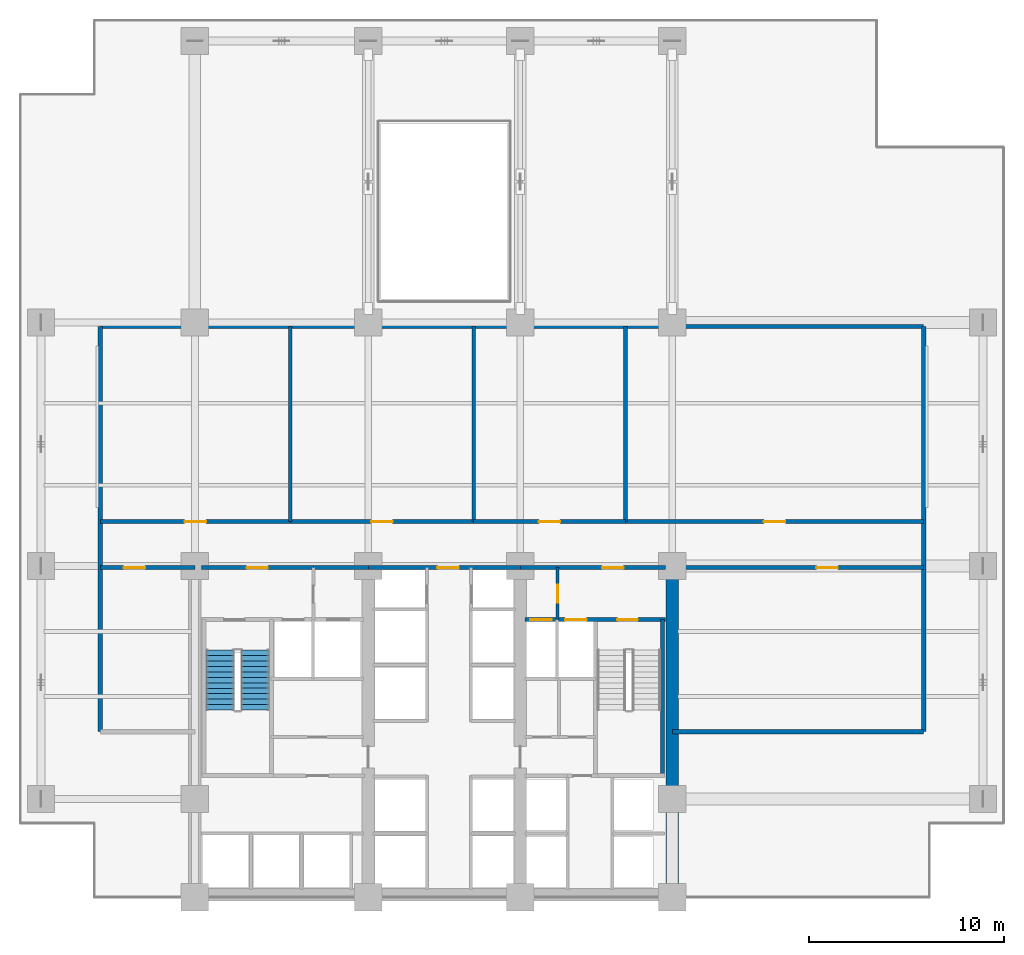
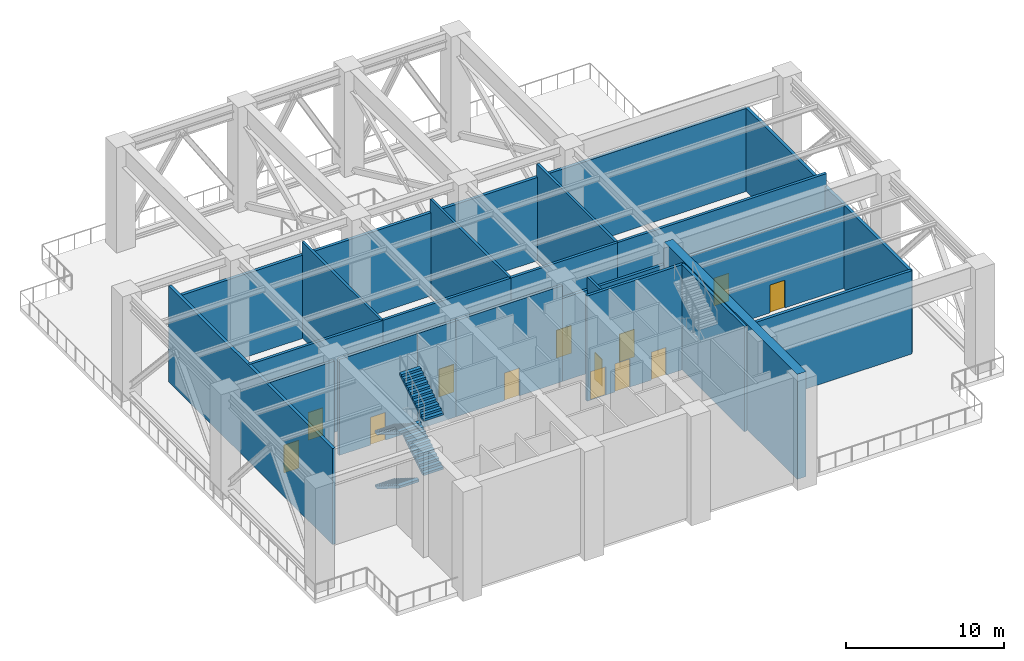
# One storey, part 4 of 7: 21 walls, 13 doors, 4 stair flights, 13 openings, 1 element without a shape of its own.
"""IFC4 building model written with IfcOpenShell, lengths in metres."""

from ifc_helpers import new_model, si_unit, direction, frame, frame_2d, origin, place, context, subcontext, project, spatial, polyline, rectangle, outline, extrude, material, layer, layer_set, type_object, element, fill, aggregate, save


model = new_model("IFC4")

# Units and contexts
model_context = context("Model", 3, precision=1e-05, world=origin(), true_north=direction((0.0, 1.0)))
body_context = subcontext(model_context, "Body", "Model", "MODEL_VIEW")
ifc_project = project(units=[si_unit("LENGTHUNIT", "METRE"), si_unit("AREAUNIT", "SQUARE_METRE"), si_unit("VOLUMEUNIT", "CUBIC_METRE"), si_unit("PLANEANGLEUNIT", "RADIAN"), si_unit("MASSUNIT", "GRAM", prefix="KILO")], contexts=[model_context])

# Site, building, storey
site_placement = place(None, origin())
site = spatial("IfcSite", under=ifc_project, at=site_placement, CompositionType="ELEMENT")
building_placement = place(site_placement, origin())
building = spatial("IfcBuilding", under=site, at=building_placement, Name="Qalmaran Belvedere Hotel", CompositionType="ELEMENT")
storey_placement = place(building_placement, frame((0.0, 0.0, 75.39990234375)))
storey = spatial("IfcBuildingStorey", under=building, at=storey_placement, Name="L19", CompositionType="ELEMENT", Elevation=75.39990234375)

# Wall
ifc_material_1 = material(Name="Concrete C60/75", Category="concrete")
ifc_layer_1 = layer(ifc_material_1, 0.64990234375, Name="Concrete C60/75")
ifc_layer_set_1 = layer_set([ifc_layer_1], Name="Concrete C60/75")
wall_type_1 = type_object("IfcWallType", Name="WL-CORE-650-C60", PredefinedType="SHEAR", material=ifc_layer_set_1)
wall_1_placement = place(storey_placement, frame((44.800048828125, 3.5, 0.0), z_axis=(0.0, 0.0, 1.0), x_axis=(0.0, 1.0, 0.0)))
element("IfcWall", 1, at=wall_1_placement, inside=storey, type_object=wall_type_1, Name="L19 East Core Shear Wall", PredefinedType="SHEAR", context=body_context, shape_type="SweptSolid", body=[
    extrude(rectangle(XDim=16.89990234375, YDim=0.64990234375, at=frame_2d((8.449951171875, 0.0))), origin(), (0.0, 0.0, 1.0), 8.14013671875),
])

# Wall, opening, door
ifc_material_2 = material(Name="Gypsum Stud Partition")
ifc_layer_2 = layer(ifc_material_2, 0.159912109375, Name="Gypsum Stud Partition")
ifc_layer_set_2 = layer_set([ifc_layer_2], Name="Gypsum Stud Partition")
wall_type_2 = type_object("IfcWallType", Name="WL-INT-160-EI120", PredefinedType="PARTITIONING", material=ifc_layer_set_2)
wall_2_placement = place(storey_placement, frame((38.919921875, 17.760009765625, 0.0), z_axis=(0.0, 0.0, 1.0), x_axis=(0.0, 1.0, 0.0)))
wall_2 = element("IfcWall", 2, at=wall_2_placement, inside=storey, type_object=wall_type_2, Name="L19 Partition WL-FFSV2-L19", PredefinedType="PARTITIONING", context=body_context, shape_type="SweptSolid", body=[
    extrude(rectangle(XDim=2.659912109375, YDim=0.159912109375, at=frame_2d((1.330078125, 0.0))), origin(), (0.0, 0.0, 1.0), 7.43017578125),
])
opening_1_placement = place(wall_2_placement, frame((1.77001953125, 0.0, 0.0), z_axis=(0.0, 0.0, 1.0), x_axis=(-1.0, 0.0, 0.0)))
opening_1 = element("IfcOpeningElement", 3, at=opening_1_placement, cuts=wall_2, Name="Opening FD60S1", PredefinedType="OPENING", context=body_context, shape_type="SweptSolid", body=[
    extrude(rectangle(XDim=0.919921875, YDim=2.080078125, at=frame_2d((0.4599609375, 1.0400390625))), frame((0.0, 0.08984375, 0.0), z_axis=(0.0, -1.0, 0.0), x_axis=(1.0, 0.0, 0.0)), (0.0, 0.0, 1.0), 0.179931640625),
])
ifc_material_3 = material(Name="Engineered Oak Veneer")
door_type_1 = type_object("IfcDoorType", Name="DR-FD60S-920X2080", OperationType="NOTDEFINED", PredefinedType="DOOR", material=ifc_material_3)
door_1_placement = place(opening_1_placement, origin())
door_1 = element("IfcDoor", 4, at=door_1_placement, inside=storey, type_object=door_type_1, Name="L19 Service Lobby East Door", OperationType="SINGLE_SWING_LEFT", OverallHeight=2.080078125, OverallWidth=0.919921875, PredefinedType="DOOR", context=body_context, shape_type="SweptSolid", body=[
    extrude(rectangle(XDim=0.919921875, YDim=2.080078125, at=frame_2d((0.4599609375, 1.0400390625))), frame((0.0, 0.02490234375, 0.0), z_axis=(0.0, -1.0, 0.0), x_axis=(1.0, 0.0, 0.0)), (0.0, 0.0, 1.0), 0.050048828125),
])
fill(opening_1, door_1)

# Walls
ifc_layer_3 = layer(ifc_material_2, 0.179931640625, Name="Gypsum Stud Partition")
ifc_layer_set_3 = layer_set([ifc_layer_3], Name="Gypsum Stud Partition")
wall_type_3 = type_object("IfcWallType", Name="WL-INT-180-EI120", PredefinedType="PARTITIONING", material=ifc_layer_set_3)
for number, where, z_axis, x_axis, name in (
    (5, (25.199951171875, 22.780029296875, 0.0), (0.0, 0.0, 1.0), (0.0, 1.0, 0.0), "L19 Partition WL-L19-PV1"),
    (6, (34.60009765625, 22.780029296875, 0.0), (0.0, 0.0, 1.0), (0.0, 1.0, 0.0), "L19 Partition WL-L19-PV2"),
    (7, (42.39990234375, 22.780029296875, 0.0), (0.0, 0.0, 1.0), (0.0, 1.0, 0.0), "L19 Partition WL-L19-PV3"),
):
    element("IfcWall", number, at=place(storey_placement, frame(where, z_axis=z_axis, x_axis=x_axis)), inside=storey, type_object=wall_type_3, Name=name, PredefinedType="PARTITIONING", context=body_context, shape_type="SweptSolid", body=[
        extrude(rectangle(XDim=10.02001953125, YDim=0.179931640625, at=frame_2d((5.010009765625, 0.0))), origin(), (0.0, 0.0, 1.0), 7.43017578125),
    ])

# Wall, opening, door
ifc_material_4 = material(Name="Concrete C30/37 Blockwork", Category="masonry")
ifc_layer_4 = layer(ifc_material_4, 0.199951171875, Name="Concrete C30/37 Blockwork")
ifc_layer_set_4 = layer_set([ifc_layer_4], Name="Concrete C30/37 Blockwork")
wall_type_4 = type_object("IfcWallType", Name="WL-INT-200-EI120", PredefinedType="PARTITIONING", material=ifc_layer_set_4)
wall_3_placement = place(storey_placement, frame((20.64990234375, 20.419921875, 0.0), z_axis=(0.0, 0.0, 1.0), x_axis=(1.0, 0.0, 0.0)))
wall_3 = element("IfcWall", 8, at=wall_3_placement, inside=storey, type_object=wall_type_4, Name="L19 Partition WL-CN1A-L19", PredefinedType="PARTITIONING", context=body_context, shape_type="SweptSolid", body=[
    extrude(rectangle(XDim=5.72998046875, YDim=0.199951171875, at=frame_2d((2.864990234375, 0.0))), origin(), (0.0, 0.0, 1.0), 7.43017578125),
])
opening_2_placement = place(wall_3_placement, frame((2.300048828125, 0.0, 0.0)))
opening_2 = element("IfcOpeningElement", 9, at=opening_2_placement, cuts=wall_3, Name="Opening FD90", PredefinedType="OPENING", context=body_context, shape_type="SweptSolid", body=[
    extrude(rectangle(XDim=1.10009765625, YDim=2.14990234375, at=frame_2d((0.550048828125, 1.074951171875))), frame((0.0, 0.10986328125, 0.0), z_axis=(0.0, -1.0, 0.0), x_axis=(1.0, 0.0, 0.0)), (0.0, 0.0, 1.0), 0.219970703125),
])
ifc_material_5 = material(Name="Steel S355JR", Category="steel")
door_type_2 = type_object("IfcDoorType", Name="DR-FD90-1100X2150", OperationType="NOTDEFINED", PredefinedType="DOOR", material=ifc_material_5)
door_2_placement = place(opening_2_placement, origin())
door_2 = element("IfcDoor", 10, at=door_2_placement, inside=storey, type_object=door_type_2, Name="L19 FF1 Lobby Corridor Door", OperationType="SINGLE_SWING_RIGHT", OverallHeight=2.14990234375, OverallWidth=1.10009765625, PredefinedType="DOOR", context=body_context, shape_type="SweptSolid", body=[
    extrude(rectangle(XDim=1.10009765625, YDim=2.14990234375, at=frame_2d((0.550048828125, 1.074951171875))), frame((0.0, 0.02490234375, 0.0), z_axis=(0.0, -1.0, 0.0), x_axis=(1.0, 0.0, 0.0)), (0.0, 0.0, 1.0), 0.050048828125),
])
fill(opening_2, door_2)

# Wall
wall_4_placement = place(storey_placement, frame((26.3798828125, 20.419921875, 0.0), z_axis=(0.0, 0.0, 1.0), x_axis=(1.0, 0.0, 0.0)))
element("IfcWall", 11, at=wall_4_placement, inside=storey, type_object=wall_type_4, Name="L19 Partition WL-CN1B-L19", PredefinedType="PARTITIONING", context=body_context, shape_type="SweptSolid", body=[
    extrude(rectangle(XDim=2.820068359375, YDim=0.199951171875, at=frame_2d((1.41015625, 0.0))), origin(), (0.0, 0.0, 1.0), 7.43017578125),
])

# Wall, opening, door
wall_5_placement = place(storey_placement, frame((29.199951171875, 20.419921875, 0.0), z_axis=(0.0, 0.0, 1.0), x_axis=(1.0, 0.0, 0.0)))
wall_5 = element("IfcWall", 12, at=wall_5_placement, inside=storey, type_object=wall_type_4, Name="L19 Partition WL-CN2-L19", PredefinedType="PARTITIONING", context=body_context, shape_type="SweptSolid", body=[
    extrude(rectangle(XDim=7.800048828125, YDim=0.199951171875, at=frame_2d((3.89990234375, 0.0))), origin(), (0.0, 0.0, 1.0), 7.43017578125),
])
opening_3_placement = place(wall_5_placement, frame((3.550048828125, 0.0, 0.0)))
opening_3 = element("IfcOpeningElement", 13, at=opening_3_placement, cuts=wall_5, Name="Opening FD90", PredefinedType="OPENING", context=body_context, shape_type="SweptSolid", body=[
    extrude(rectangle(XDim=1.10009765625, YDim=2.14990234375, at=frame_2d((0.550048828125, 1.074951171875))), frame((0.0, 0.10986328125, 0.0), z_axis=(0.0, -1.0, 0.0), x_axis=(1.0, 0.0, 0.0)), (0.0, 0.0, 1.0), 0.219970703125),
])
door_3_placement = place(opening_3_placement, origin())
door_3 = element("IfcDoor", 14, at=door_3_placement, inside=storey, type_object=door_type_2, Name="L19 Central Lift Lobby Door", OperationType="SINGLE_SWING_LEFT", OverallHeight=2.14990234375, OverallWidth=1.10009765625, PredefinedType="DOOR", context=body_context, shape_type="SweptSolid", body=[
    extrude(rectangle(XDim=1.10009765625, YDim=2.14990234375, at=frame_2d((0.550048828125, 1.074951171875))), frame((0.0, 0.02490234375, 0.0), z_axis=(0.0, -1.0, 0.0), x_axis=(1.0, 0.0, 0.0)), (0.0, 0.0, 1.0), 0.050048828125),
])
fill(opening_3, door_3)

wall_6_placement = place(storey_placement, frame((37.0, 20.419921875, 0.0), z_axis=(0.0, 0.0, 1.0), x_axis=(1.0, 0.0, 0.0)))
wall_6 = element("IfcWall", 15, at=wall_6_placement, inside=storey, type_object=wall_type_4, Name="L19 Partition WL-CN3-L19", PredefinedType="PARTITIONING", context=body_context, shape_type="SweptSolid", body=[
    extrude(rectangle(XDim=7.449951171875, YDim=0.199951171875, at=frame_2d((3.72509765625, 0.0))), origin(), (0.0, 0.0, 1.0), 6.445068359375),
])
opening_4_placement = place(wall_6_placement, frame((4.199951171875, 0.0, 0.0)))
opening_4 = element("IfcOpeningElement", 16, at=opening_4_placement, cuts=wall_6, Name="Opening FD90", PredefinedType="OPENING", context=body_context, shape_type="SweptSolid", body=[
    extrude(rectangle(XDim=1.10009765625, YDim=2.14990234375, at=frame_2d((0.550048828125, 1.074951171875))), frame((0.0, 0.10986328125, 0.0), z_axis=(0.0, -1.0, 0.0), x_axis=(1.0, 0.0, 0.0)), (0.0, 0.0, 1.0), 0.219970703125),
])
door_4_placement = place(opening_4_placement, origin())
door_4 = element("IfcDoor", 17, at=door_4_placement, inside=storey, type_object=door_type_2, Name="L19 FF2 Lobby Corridor Door", OperationType="SINGLE_SWING_RIGHT", OverallHeight=2.14990234375, OverallWidth=1.10009765625, PredefinedType="DOOR", context=body_context, shape_type="SweptSolid", body=[
    extrude(rectangle(XDim=1.10009765625, YDim=2.14990234375, at=frame_2d((0.550048828125, 1.074951171875))), frame((0.0, 0.02490234375, 0.0), z_axis=(0.0, -1.0, 0.0), x_axis=(1.0, 0.0, 0.0)), (0.0, 0.0, 1.0), 0.050048828125),
])
fill(opening_4, door_4)

wall_7_placement = place(storey_placement, frame((15.449951171875, 20.419921875, 0.0), z_axis=(0.0, 0.0, 1.0), x_axis=(1.0, 0.0, 0.0)))
wall_7 = element("IfcWall", 18, at=wall_7_placement, inside=storey, type_object=wall_type_4, Name="L19 Partition WL-L19-RFW", PredefinedType="PARTITIONING", context=body_context, shape_type="SweptSolid", body=[
    extrude(rectangle(XDim=4.85009765625, YDim=0.199951171875, at=frame_2d((2.425048828125, 0.0))), origin(), (0.0, 0.0, 1.0), 7.43017578125),
])
opening_5_placement = place(wall_7_placement, frame((2.300048828125, 0.0, 0.0), z_axis=(0.0, 0.0, 1.0), x_axis=(-1.0, 0.0, 0.0)))
opening_5 = element("IfcOpeningElement", 19, at=opening_5_placement, cuts=wall_7, Name="Opening FD90", PredefinedType="OPENING", context=body_context, shape_type="SweptSolid", body=[
    extrude(rectangle(XDim=1.10009765625, YDim=2.14990234375, at=frame_2d((0.550048828125, 1.074951171875))), frame((0.0, 0.10986328125, 0.0), z_axis=(0.0, -1.0, 0.0), x_axis=(1.0, 0.0, 0.0)), (0.0, 0.0, 1.0), 0.219970703125),
])
door_5_placement = place(opening_5_placement, origin())
door_5 = element("IfcDoor", 20, at=door_5_placement, inside=storey, type_object=door_type_2, Name="L19 Refuge West Door", OperationType="SINGLE_SWING_RIGHT", OverallHeight=2.14990234375, OverallWidth=1.10009765625, PredefinedType="DOOR", context=body_context, shape_type="SweptSolid", body=[
    extrude(rectangle(XDim=1.10009765625, YDim=2.14990234375, at=frame_2d((0.550048828125, 1.074951171875))), frame((0.0, 0.02490234375, 0.0), z_axis=(0.0, -1.0, 0.0), x_axis=(1.0, 0.0, 0.0)), (0.0, 0.0, 1.0), 0.050048828125),
])
fill(opening_5, door_5)

wall_8_placement = place(storey_placement, frame((44.800048828125, 20.419921875, 0.0), z_axis=(0.0, 0.0, 1.0), x_axis=(1.0, 0.0, 0.0)))
wall_8 = element("IfcWall", 21, at=wall_8_placement, inside=storey, type_object=wall_type_4, Name="L19 Partition WL-L19-RFE", PredefinedType="PARTITIONING", context=body_context, shape_type="SweptSolid", body=[
    extrude(rectangle(XDim=12.89990234375, YDim=0.199951171875, at=frame_2d((6.449951171875, 0.0))), origin(), (0.0, 0.0, 1.0), 6.445068359375),
])
opening_6_placement = place(wall_8_placement, frame((8.494873046875, 0.0, 0.0), z_axis=(0.0, 0.0, 1.0), x_axis=(-1.0, 0.0, 0.0)))
opening_6 = element("IfcOpeningElement", 22, at=opening_6_placement, cuts=wall_8, Name="Opening FD90", PredefinedType="OPENING", context=body_context, shape_type="SweptSolid", body=[
    extrude(rectangle(XDim=1.10009765625, YDim=2.14990234375, at=frame_2d((0.550048828125, 1.074951171875))), frame((0.0, 0.10986328125, 0.0), z_axis=(0.0, -1.0, 0.0), x_axis=(1.0, 0.0, 0.0)), (0.0, 0.0, 1.0), 0.219970703125),
])
door_6_placement = place(opening_6_placement, origin())
door_6 = element("IfcDoor", 23, at=door_6_placement, inside=storey, type_object=door_type_2, Name="L19 Refuge East Door", OperationType="SINGLE_SWING_LEFT", OverallHeight=2.14990234375, OverallWidth=1.10009765625, PredefinedType="DOOR", context=body_context, shape_type="SweptSolid", body=[
    extrude(rectangle(XDim=1.10009765625, YDim=2.14990234375, at=frame_2d((0.550048828125, 1.074951171875))), frame((0.0, 0.02490234375, 0.0), z_axis=(0.0, -1.0, 0.0), x_axis=(1.0, 0.0, 0.0)), (0.0, 0.0, 1.0), 0.050048828125),
])
fill(opening_6, door_6)

wall_9_placement = place(storey_placement, frame((15.449951171875, 22.780029296875, 0.0), z_axis=(0.0, 0.0, 1.0), x_axis=(1.0, 0.0, 0.0)))
wall_9 = element("IfcWall", 24, at=wall_9_placement, inside=storey, type_object=wall_type_4, Name="L19 Partition WL-L19-PCN1", PredefinedType="PARTITIONING", context=body_context, shape_type="SweptSolid", body=[
    extrude(rectangle(XDim=9.75, YDim=0.199951171875, at=frame_2d((4.875, 0.0))), origin(), (0.0, 0.0, 1.0), 7.43017578125),
])
opening_7_placement = place(wall_9_placement, frame((4.324951171875, 0.0, 0.0)))
opening_7 = element("IfcOpeningElement", 25, at=opening_7_placement, cuts=wall_9, Name="Opening FD90", PredefinedType="OPENING", context=body_context, shape_type="SweptSolid", body=[
    extrude(rectangle(XDim=1.10009765625, YDim=2.14990234375, at=frame_2d((0.550048828125, 1.074951171875))), frame((0.0, 0.10986328125, 0.0), z_axis=(0.0, -1.0, 0.0), x_axis=(1.0, 0.0, 0.0)), (0.0, 0.0, 1.0), 0.219970703125),
])
door_7_placement = place(opening_7_placement, origin())
door_7 = element("IfcDoor", 26, at=door_7_placement, inside=storey, type_object=door_type_2, Name="L19 District Cooling Heat Exchanger Plant Room Door", OperationType="SINGLE_SWING_RIGHT", OverallHeight=2.14990234375, OverallWidth=1.10009765625, PredefinedType="DOOR", context=body_context, shape_type="SweptSolid", body=[
    extrude(rectangle(XDim=1.10009765625, YDim=2.14990234375, at=frame_2d((0.550048828125, 1.074951171875))), frame((0.0, 0.02490234375, 0.0), z_axis=(0.0, -1.0, 0.0), x_axis=(1.0, 0.0, 0.0)), (0.0, 0.0, 1.0), 0.050048828125),
])
fill(opening_7, door_7)

wall_10_placement = place(storey_placement, frame((25.199951171875, 22.780029296875, 0.0), z_axis=(0.0, 0.0, 1.0), x_axis=(1.0, 0.0, 0.0)))
wall_10 = element("IfcWall", 27, at=wall_10_placement, inside=storey, type_object=wall_type_4, Name="L19 Partition WL-L19-PCN2", PredefinedType="PARTITIONING", context=body_context, shape_type="SweptSolid", body=[
    extrude(rectangle(XDim=9.400146484375, YDim=0.199951171875, at=frame_2d((4.7001953125, 0.0))), origin(), (0.0, 0.0, 1.0), 7.43017578125),
])
opening_8_placement = place(wall_10_placement, frame((4.14990234375, 0.0, 0.0)))
opening_8 = element("IfcOpeningElement", 28, at=opening_8_placement, cuts=wall_10, Name="Opening FD90", PredefinedType="OPENING", context=body_context, shape_type="SweptSolid", body=[
    extrude(rectangle(XDim=1.10009765625, YDim=2.14990234375, at=frame_2d((0.550048828125, 1.074951171875))), frame((0.0, 0.10986328125, 0.0), z_axis=(0.0, -1.0, 0.0), x_axis=(1.0, 0.0, 0.0)), (0.0, 0.0, 1.0), 0.219970703125),
])
door_8_placement = place(opening_8_placement, origin())
door_8 = element("IfcDoor", 29, at=door_8_placement, inside=storey, type_object=door_type_2, Name="L19 Supply and Extract AHU Plant Room Door", OperationType="SINGLE_SWING_LEFT", OverallHeight=2.14990234375, OverallWidth=1.10009765625, PredefinedType="DOOR", context=body_context, shape_type="SweptSolid", body=[
    extrude(rectangle(XDim=1.10009765625, YDim=2.14990234375, at=frame_2d((0.550048828125, 1.074951171875))), frame((0.0, 0.02490234375, 0.0), z_axis=(0.0, -1.0, 0.0), x_axis=(1.0, 0.0, 0.0)), (0.0, 0.0, 1.0), 0.050048828125),
])
fill(opening_8, door_8)

wall_11_placement = place(storey_placement, frame((34.60009765625, 22.780029296875, 0.0), z_axis=(0.0, 0.0, 1.0), x_axis=(1.0, 0.0, 0.0)))
wall_11 = element("IfcWall", 30, at=wall_11_placement, inside=storey, type_object=wall_type_4, Name="L19 Partition WL-L19-PCN3", PredefinedType="PARTITIONING", context=body_context, shape_type="SweptSolid", body=[
    extrude(rectangle(XDim=7.7998046875, YDim=0.199951171875, at=frame_2d((3.89990234375, 0.0))), origin(), (0.0, 0.0, 1.0), 7.43017578125),
])
opening_9_placement = place(wall_11_placement, frame((3.35009765625, 0.0, 0.0)))
opening_9 = element("IfcOpeningElement", 31, at=opening_9_placement, cuts=wall_11, Name="Opening FD90", PredefinedType="OPENING", context=body_context, shape_type="SweptSolid", body=[
    extrude(rectangle(XDim=1.10009765625, YDim=2.14990234375, at=frame_2d((0.550048828125, 1.074951171875))), frame((0.0, 0.10986328125, 0.0), z_axis=(0.0, -1.0, 0.0), x_axis=(1.0, 0.0, 0.0)), (0.0, 0.0, 1.0), 0.219970703125),
])
door_9_placement = place(opening_9_placement, origin())
door_9 = element("IfcDoor", 32, at=door_9_placement, inside=storey, type_object=door_type_2, Name="L19 Domestic and Fire Booster Pump Plant Room Door", OperationType="SINGLE_SWING_RIGHT", OverallHeight=2.14990234375, OverallWidth=1.10009765625, PredefinedType="DOOR", context=body_context, shape_type="SweptSolid", body=[
    extrude(rectangle(XDim=1.10009765625, YDim=2.14990234375, at=frame_2d((0.550048828125, 1.074951171875))), frame((0.0, 0.02490234375, 0.0), z_axis=(0.0, -1.0, 0.0), x_axis=(1.0, 0.0, 0.0)), (0.0, 0.0, 1.0), 0.050048828125),
])
fill(opening_9, door_9)

wall_12_placement = place(storey_placement, frame((42.39990234375, 22.780029296875, 0.0), z_axis=(0.0, 0.0, 1.0), x_axis=(1.0, 0.0, 0.0)))
wall_12 = element("IfcWall", 33, at=wall_12_placement, inside=storey, type_object=wall_type_4, Name="L19 Partition WL-L19-PCN4", PredefinedType="PARTITIONING", context=body_context, shape_type="SweptSolid", body=[
    extrude(rectangle(XDim=15.300048828125, YDim=0.199951171875, at=frame_2d((7.64990234375, 0.0))), origin(), (0.0, 0.0, 1.0), 7.43017578125),
])
opening_10_placement = place(wall_12_placement, frame((7.10009765625, 0.0, 0.0)))
opening_10 = element("IfcOpeningElement", 34, at=opening_10_placement, cuts=wall_12, Name="Opening FD90", PredefinedType="OPENING", context=body_context, shape_type="SweptSolid", body=[
    extrude(rectangle(XDim=1.10009765625, YDim=2.14990234375, at=frame_2d((0.550048828125, 1.074951171875))), frame((0.0, 0.10986328125, 0.0), z_axis=(0.0, -1.0, 0.0), x_axis=(1.0, 0.0, 0.0)), (0.0, 0.0, 1.0), 0.219970703125),
])
door_10_placement = place(opening_10_placement, origin())
door_10 = element("IfcDoor", 35, at=door_10_placement, inside=storey, type_object=door_type_2, Name="L19 HV Transformer Substation Plant Room Door", OperationType="SINGLE_SWING_LEFT", OverallHeight=2.14990234375, OverallWidth=1.10009765625, PredefinedType="DOOR", context=body_context, shape_type="SweptSolid", body=[
    extrude(rectangle(XDim=1.10009765625, YDim=2.14990234375, at=frame_2d((0.550048828125, 1.074951171875))), frame((0.0, 0.02490234375, 0.0), z_axis=(0.0, -1.0, 0.0), x_axis=(1.0, 0.0, 0.0)), (0.0, 0.0, 1.0), 0.050048828125),
])
fill(opening_10, door_10)

# Walls
ifc_layer_5 = layer(ifc_material_4, 0.219970703125, Name="Concrete C30/37 Blockwork")
ifc_layer_set_5 = layer_set([ifc_layer_5], Name="Concrete C30/37 Blockwork")
wall_type_5 = type_object("IfcWallType", Name="WL-INT-220-EI120", PredefinedType="PARTITIONING", material=ifc_layer_set_5)
wall_13_placement = place(storey_placement, frame((15.449951171875, 12.0, 0.0), z_axis=(0.0, 0.0, 1.0), x_axis=(0.0, 1.0, 0.0)))
element("IfcWall", 36, at=wall_13_placement, inside=storey, type_object=wall_type_5, Name="L19 Partition WL-L19-PRW", PredefinedType="PARTITIONING", context=body_context, shape_type="SweptSolid", body=[
    extrude(rectangle(XDim=20.800048828125, YDim=0.219970703125, at=frame_2d((10.39990234375, 0.0))), origin(), (0.0, 0.0, 1.0), 7.43017578125),
])
wall_14_placement = place(storey_placement, frame((57.699951171875, 12.0, 0.0), z_axis=(0.0, 0.0, 1.0), x_axis=(0.0, 1.0, 0.0)))
element("IfcWall", 37, at=wall_14_placement, inside=storey, type_object=wall_type_5, Name="L19 Partition WL-L19-PRE", PredefinedType="PARTITIONING", context=body_context, shape_type="SweptSolid", body=[
    extrude(rectangle(XDim=20.800048828125, YDim=0.219970703125, at=frame_2d((10.39990234375, 0.0))), origin(), (0.0, 0.0, 1.0), 6.445068359375),
])
wall_15_placement = place(storey_placement, frame((44.800048828125, 12.0, 0.0), z_axis=(0.0, 0.0, 1.0), x_axis=(1.0, 0.0, 0.0)))
element("IfcWall", 38, at=wall_15_placement, inside=storey, type_object=wall_type_5, Name="L19 Partition WL-L19-PRSE", PredefinedType="PARTITIONING", context=body_context, shape_type="SweptSolid", body=[
    extrude(rectangle(XDim=12.89990234375, YDim=0.219970703125, at=frame_2d((6.449951171875, 0.0))), origin(), (0.0, 0.0, 1.0), 6.445068359375),
])
wall_16_placement = place(storey_placement, frame((15.449951171875, 32.800048828125, 0.0), z_axis=(0.0, 0.0, 1.0), x_axis=(1.0, 0.0, 0.0)))
element("IfcWall", 39, at=wall_16_placement, inside=storey, type_object=wall_type_5, Name="L19 Partition WL-L19-PRN", PredefinedType="PARTITIONING", context=body_context, shape_type="SweptSolid", body=[
    extrude(rectangle(XDim=42.25, YDim=0.219970703125, at=frame_2d((21.125, 0.0))), origin(), (0.0, 0.0, 1.0), 6.445068359375),
])
ifc_material_6 = material(Name="Concrete C50/60", Category="concrete")
ifc_layer_6 = layer(ifc_material_6, 0.2099609375, Name="Concrete C50/60")
ifc_layer_set_6 = layer_set([ifc_layer_6], Name="Concrete C50/60")
wall_type_6 = type_object("IfcWallType", Name="WL-STAIR-210-C50", PredefinedType="SHEAR", material=ifc_layer_set_6)
wall_17_placement = place(storey_placement, frame((44.304931640625, 9.7451171875, 0.0), z_axis=(0.0, 0.0, 1.0), x_axis=(0.0, 1.0, 0.0)))
element("IfcWall", 40, at=wall_17_placement, inside=storey, type_object=wall_type_6, Name="L19 Stair ST-2 East Bearing Wall", PredefinedType="SHEAR", context=body_context, shape_type="SweptSolid", body=[
    extrude(rectangle(XDim=8.009765625, YDim=0.2099609375, at=frame_2d((4.0048828125, 0.0))), origin(), (0.0, 0.0, 1.0), 8.14013671875),
])

# Wall, openings, doors
wall_18_placement = place(storey_placement, frame((37.25, 17.7548828125, 0.0), z_axis=(0.0, 0.0, 1.0), x_axis=(1.0, 0.0, 0.0)))
wall_18 = element("IfcWall", 41, at=wall_18_placement, inside=storey, type_object=wall_type_6, Name="L19 East Lobby and Stair ST-2 North Bearing Wall", PredefinedType="SHEAR", context=body_context, shape_type="SweptSolid", body=[
    extrude(rectangle(XDim=7.199951171875, YDim=0.2099609375, at=frame_2d((3.60009765625, 0.0))), origin(), (0.0, 0.0, 1.0), 8.14013671875),
])
opening_11_placement = place(wall_18_placement, frame((0.25, 0.0, 0.0)))
opening_11 = element("IfcOpeningElement", 42, at=opening_11_placement, cuts=wall_18, Name="Opening LD-SV", PredefinedType="OPENING", context=body_context, shape_type="SweptSolid", body=[
    extrude(rectangle(XDim=1.1201171875, YDim=2.199951171875, at=frame_2d((0.56005859375, 1.10009765625))), frame((0.0, 0.114990234375, 0.0), z_axis=(0.0, -1.0, 0.0), x_axis=(1.0, 0.0, 0.0)), (0.0, 0.0, 1.0), 0.22998046875),
])
opening_12_placement = place(wall_18_placement, frame((2.050048828125, 0.0, 0.0)))
opening_12 = element("IfcOpeningElement", 43, at=opening_12_placement, cuts=wall_18, Name="Opening LD-FF", PredefinedType="OPENING", context=body_context, shape_type="SweptSolid", body=[
    extrude(rectangle(XDim=1.10009765625, YDim=2.179931640625, at=frame_2d((0.550048828125, 1.08984375))), frame((0.0, 0.114990234375, 0.0), z_axis=(0.0, -1.0, 0.0), x_axis=(1.0, 0.0, 0.0)), (0.0, 0.0, 1.0), 0.22998046875),
])
opening_13_placement = place(wall_18_placement, frame((5.780029296875, 0.0, 0.0), z_axis=(0.0, 0.0, 1.0), x_axis=(-1.0, 0.0, 0.0)))
opening_13 = element("IfcOpeningElement", 44, at=opening_13_placement, cuts=wall_18, Name="Opening FD90S2", PredefinedType="OPENING", context=body_context, shape_type="SweptSolid", body=[
    extrude(rectangle(XDim=1.050048828125, YDim=2.14990234375, at=frame_2d((0.52490234375, 1.074951171875))), frame((0.0, 0.114990234375, 0.0), z_axis=(0.0, -1.0, 0.0), x_axis=(1.0, 0.0, 0.0)), (0.0, 0.0, 1.0), 0.22998046875),
])
door_type_3 = type_object("IfcDoorType", Name="DR-FD90S-1050X2150", OperationType="NOTDEFINED", PredefinedType="DOOR", material=ifc_material_5)
door_11_placement = place(opening_13_placement, origin())
door_11 = element("IfcDoor", 45, at=door_11_placement, inside=storey, type_object=door_type_3, Name="L19 Stair ST-2 Door", OperationType="SINGLE_SWING_LEFT", OverallHeight=2.14990234375, OverallWidth=1.050048828125, PredefinedType="DOOR", context=body_context, shape_type="SweptSolid", body=[
    extrude(rectangle(XDim=1.050048828125, YDim=2.14990234375, at=frame_2d((0.52490234375, 1.074951171875))), frame((0.0, 0.02490234375, 0.0), z_axis=(0.0, -1.0, 0.0), x_axis=(1.0, 0.0, 0.0)), (0.0, 0.0, 1.0), 0.050048828125),
])
fill(opening_13, door_11)
ifc_material_7 = material(Name="Stainless Steel 1.4401", Category="steel")
door_type_4 = type_object("IfcDoorType", Name="DR-LIFT-FF-1100X2180", OperationType="DOUBLE_DOOR_SLIDING", PredefinedType="DOOR", material=ifc_material_7)
door_12_placement = place(opening_12_placement, origin())
door_12 = element("IfcDoor", 46, at=door_12_placement, inside=storey, type_object=door_type_4, Name="L19 FF2 Lift Landing Door", OperationType="DOUBLE_DOOR_SLIDING", OverallHeight=2.179931640625, OverallWidth=1.10009765625, PredefinedType="DOOR", context=body_context, shape_type="SweptSolid", body=[
    extrude(rectangle(XDim=1.10009765625, YDim=2.179931640625, at=frame_2d((0.550048828125, 1.08984375))), frame((0.0, 0.02490234375, 0.0), z_axis=(0.0, -1.0, 0.0), x_axis=(1.0, 0.0, 0.0)), (0.0, 0.0, 1.0), 0.050048828125),
])
fill(opening_12, door_12)
door_type_5 = type_object("IfcDoorType", Name="DR-LIFT-SV-1120X2200", OperationType="DOUBLE_DOOR_SLIDING", PredefinedType="DOOR", material=ifc_material_7)
door_13_placement = place(opening_11_placement, origin())
door_13 = element("IfcDoor", 47, at=door_13_placement, inside=storey, type_object=door_type_5, Name="L19 SV2 Lift Landing Door", OperationType="DOUBLE_DOOR_SLIDING", OverallHeight=2.199951171875, OverallWidth=1.1201171875, PredefinedType="DOOR", context=body_context, shape_type="SweptSolid", body=[
    extrude(rectangle(XDim=1.1201171875, YDim=2.199951171875, at=frame_2d((0.56005859375, 1.10009765625))), frame((0.0, 0.02490234375, 0.0), z_axis=(0.0, -1.0, 0.0), x_axis=(1.0, 0.0, 0.0)), (0.0, 0.0, 1.0), 0.050048828125),
])
fill(opening_11, door_13)

# Stair, stair flights
ifc_material_8 = material(Name="Concrete C40/50", Category="concrete")
stair_type = type_object("IfcStairType", Name="STR-ST-1-1450-R1750", PredefinedType="HALF_TURN_STAIR", material=ifc_material_8)
stair_placement = place(storey_placement, origin())
stair = element("IfcStair", 48, at=stair_placement, inside=storey, type_object=stair_type, Name="L19 West Core Exit Stair ST-1", PredefinedType="HALF_TURN_STAIR")
ifc_layer_7 = layer(ifc_material_8, 0.14990234375, Name="Concrete C40/50")
ifc_layer_set_7 = layer_set([ifc_layer_7], Name="Concrete C40/50")
stair_flight_type = type_object("IfcStairFlightType", Name="STF-ST-1-1450-R1750", PredefinedType="STRAIGHT", material=ifc_layer_set_7)
stair_flight_1_placement = place(storey_placement, frame((21.60498046875, 16.18994140625, 0.0), z_axis=(0.0, 0.0, 1.0), x_axis=(0.0, -1.0, 0.0)))
stair_flight_1 = element("IfcStairFlight", 49, at=stair_flight_1_placement, type_object=stair_flight_type, Name="ST-1 flight 1", NumberOfRisers=12, NumberOfTreads=11, PredefinedType="STRAIGHT", RiserHeight=0.175, TreadLength=0.28, context=body_context, shape_type="SweptSolid", body=[
    extrude(outline(polyline([(0.0, 0.0), (0.0, 0.175048828125), (0.280029296875, 0.175048828125), (0.280029296875, 0.35009765625), (0.56005859375, 0.35009765625), (0.56005859375, 0.52490234375), (0.840087890625, 0.52490234375), (0.840087890625, 0.699951171875), (1.1201171875, 0.699951171875), (1.1201171875, 0.875), (1.39990234375, 0.875), (1.39990234375, 1.050048828125), (1.679931640625, 1.050048828125), (1.679931640625, 1.22509765625), (1.9599609375, 1.22509765625), (1.9599609375, 1.39990234375), (2.239990234375, 1.39990234375), (2.239990234375, 1.574951171875), (2.52001953125, 1.574951171875), (2.52001953125, 1.75), (2.800048828125, 1.75), (2.800048828125, 1.925048828125), (3.080078125, 1.925048828125), (3.080078125, 2.10009765625), (3.080078125, 1.748291015625), (0.28271484375, 0.0), (0.0, 0.0)])), frame((0.0, 0.72509765625, 0.0), z_axis=(0.0, -1.0, 0.0), x_axis=(1.0, 0.0, 0.0)), (0.0, 0.0, 1.0), 1.449951171875),
])
stair_flight_2_placement = place(storey_placement, frame((23.39501953125, 13.110107421875, 2.10009765625), z_axis=(0.0, 0.0, 1.0), x_axis=(0.0, 1.0, 0.0)))
stair_flight_2 = element("IfcStairFlight", 50, at=stair_flight_2_placement, type_object=stair_flight_type, Name="ST-1 flight 2", NumberOfRisers=12, NumberOfTreads=11, PredefinedType="STRAIGHT", RiserHeight=0.175, TreadLength=0.28, context=body_context, shape_type="SweptSolid", body=[
    extrude(outline(polyline([(0.0, 0.0), (0.0, 0.175048828125), (0.280029296875, 0.175048828125), (0.280029296875, 0.35009765625), (0.56005859375, 0.35009765625), (0.56005859375, 0.52490234375), (0.840087890625, 0.52490234375), (0.840087890625, 0.699951171875), (1.1201171875, 0.699951171875), (1.1201171875, 0.875), (1.39990234375, 0.875), (1.39990234375, 1.050048828125), (1.679931640625, 1.050048828125), (1.679931640625, 1.22509765625), (1.9599609375, 1.22509765625), (1.9599609375, 1.39990234375), (2.239990234375, 1.39990234375), (2.239990234375, 1.574951171875), (2.52001953125, 1.574951171875), (2.52001953125, 1.75), (2.800048828125, 1.75), (2.800048828125, 1.925048828125), (3.080078125, 1.925048828125), (3.080078125, 2.10009765625), (3.080078125, 1.748291015625), (0.28271484375, 0.0), (0.0, 0.0)])), frame((0.0, 0.72509765625, 0.0), z_axis=(0.0, -1.0, 0.0), x_axis=(1.0, 0.0, 0.0)), (0.0, 0.0, 1.0), 1.449951171875),
])
stair_flight_3_placement = place(storey_placement, frame((21.60498046875, 16.18994140625, 4.2001953125), z_axis=(0.0, 0.0, 1.0), x_axis=(0.0, -1.0, 0.0)))
stair_flight_3 = element("IfcStairFlight", 51, at=stair_flight_3_placement, type_object=stair_flight_type, Name="ST-1 flight 3", NumberOfRisers=12, NumberOfTreads=11, PredefinedType="STRAIGHT", RiserHeight=0.175, TreadLength=0.28, context=body_context, shape_type="SweptSolid", body=[
    extrude(outline(polyline([(0.0, 0.0), (0.0, 0.175048828125), (0.280029296875, 0.175048828125), (0.280029296875, 0.35009765625), (0.56005859375, 0.35009765625), (0.56005859375, 0.52490234375), (0.840087890625, 0.52490234375), (0.840087890625, 0.699951171875), (1.1201171875, 0.699951171875), (1.1201171875, 0.875), (1.39990234375, 0.875), (1.39990234375, 1.050048828125), (1.679931640625, 1.050048828125), (1.679931640625, 1.22509765625), (1.9599609375, 1.22509765625), (1.9599609375, 1.39990234375), (2.239990234375, 1.39990234375), (2.239990234375, 1.574951171875), (2.52001953125, 1.574951171875), (2.52001953125, 1.75), (2.800048828125, 1.75), (2.800048828125, 1.925048828125), (3.080078125, 1.925048828125), (3.080078125, 2.10009765625), (3.080078125, 1.748291015625), (0.28271484375, 0.0), (0.0, 0.0)])), frame((0.0, 0.72509765625, 0.0), z_axis=(0.0, -1.0, 0.0), x_axis=(1.0, 0.0, 0.0)), (0.0, 0.0, 1.0), 1.449951171875),
])
stair_flight_4_placement = place(storey_placement, frame((23.39501953125, 13.110107421875, 6.300048828125), z_axis=(0.0, 0.0, 1.0), x_axis=(0.0, 1.0, 0.0)))
stair_flight_4 = element("IfcStairFlight", 52, at=stair_flight_4_placement, type_object=stair_flight_type, Name="ST-1 flight 4", NumberOfRisers=12, NumberOfTreads=11, PredefinedType="STRAIGHT", RiserHeight=0.175, TreadLength=0.28, context=body_context, shape_type="SweptSolid", body=[
    extrude(outline(polyline([(0.0, 0.0), (0.0, 0.175048828125), (0.280029296875, 0.175048828125), (0.280029296875, 0.35009765625), (0.56005859375, 0.35009765625), (0.56005859375, 0.52490234375), (0.840087890625, 0.52490234375), (0.840087890625, 0.699951171875), (1.1201171875, 0.699951171875), (1.1201171875, 0.875), (1.39990234375, 0.875), (1.39990234375, 1.050048828125), (1.679931640625, 1.050048828125), (1.679931640625, 1.22509765625), (1.9599609375, 1.22509765625), (1.9599609375, 1.39990234375), (2.239990234375, 1.39990234375), (2.239990234375, 1.574951171875), (2.52001953125, 1.574951171875), (2.52001953125, 1.75), (2.800048828125, 1.75), (2.800048828125, 1.925048828125), (3.080078125, 1.925048828125), (3.080078125, 2.10009765625), (3.080078125, 1.748291015625), (0.28271484375, 0.0), (0.0, 0.0)])), frame((0.0, 0.72509765625, 0.0), z_axis=(0.0, -1.0, 0.0), x_axis=(1.0, 0.0, 0.0)), (0.0, 0.0, 1.0), 1.449951171875),
])
aggregate(stair, [stair_flight_1, stair_flight_2, stair_flight_3, stair_flight_4])

save(model, "model.ifc")
